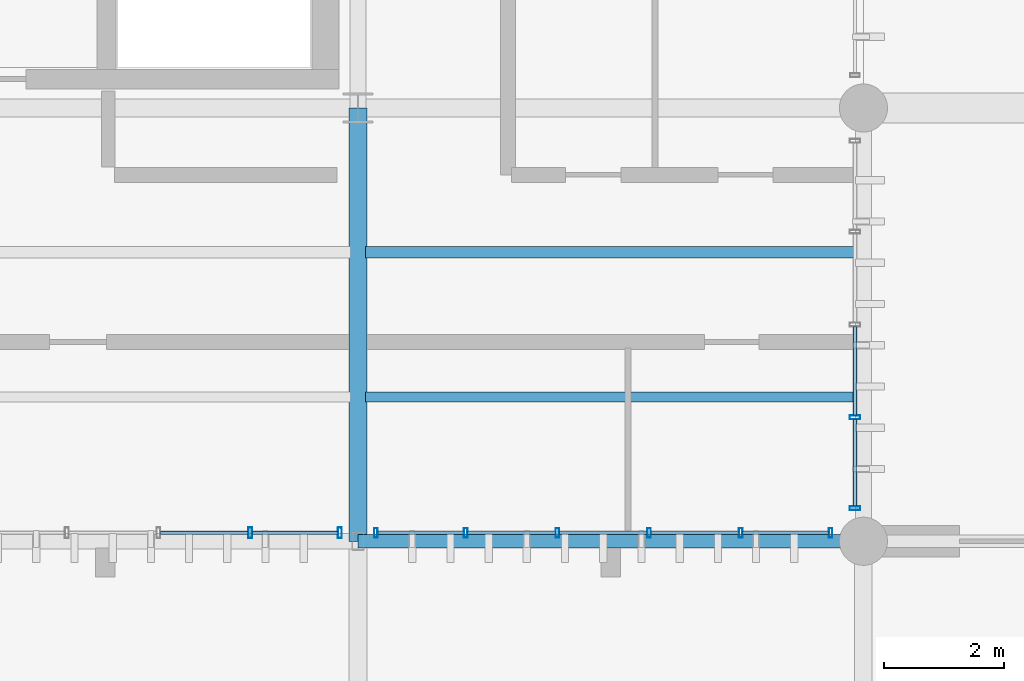
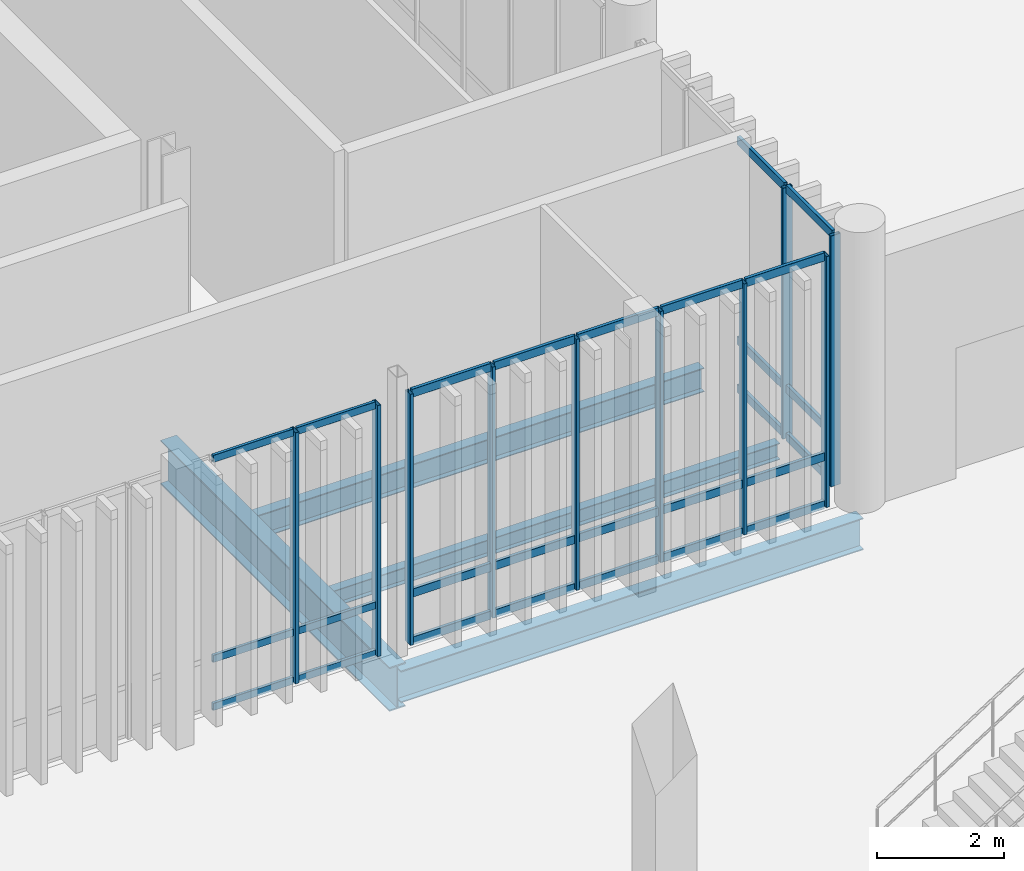
# One storey, part 47 of 112: 37 members, 4 beams, 3 elements without a shape of their own.
"""IFC4 building model written with IfcOpenShell, lengths in metres."""

from ifc_helpers import new_model, si_unit, direction, frame, origin_with_axes, origin_2d_with_axis, place, context, subcontext, project, spatial, hollow_rectangle, i_section, extrude, material, material_profile, profile_set, type_object, element, aggregate, save


model = new_model("IFC4")

# Units and contexts
model_context = context("Model", 3, precision=1e-05, world=origin_with_axes(), true_north=direction((0.0, 1.0)))
body_context = subcontext(model_context, "Body", "Model", "MODEL_VIEW")
ifc_project = project(units=[si_unit("LENGTHUNIT", "METRE"), si_unit("AREAUNIT", "SQUARE_METRE"), si_unit("VOLUMEUNIT", "CUBIC_METRE"), si_unit("PLANEANGLEUNIT", "RADIAN"), si_unit("MASSUNIT", "GRAM", prefix="KILO"), si_unit("THERMODYNAMICTEMPERATUREUNIT", "KELVIN")], contexts=[model_context])

# Site, building, storey
site_placement = place(None, origin_with_axes())
site = spatial("IfcSite", under=ifc_project, at=site_placement, CompositionType="ELEMENT")
building_placement = place(site_placement, origin_with_axes())
building = spatial("IfcBuilding", under=site, at=building_placement, Name="Montbau Bow Law Courts", CompositionType="ELEMENT")
storey_placement = place(building_placement, origin_with_axes())
storey = spatial("IfcBuildingStorey", under=building, at=storey_placement, Name="L00", CompositionType="ELEMENT", Elevation=0.0)

# Beams
ifc_material_1 = material(Name="Steel CSA G40.21 Grade 350W (350 MPa)", Category="steel")
ifc_material_profile_1 = material_profile(ifc_material_1, i_section(OverallWidth=0.293, OverallDepth=0.846, WebThickness=0.0154, FlangeThickness=0.0244, at=origin_2d_with_axis()), Name="W840X210", Category="Main", Priority=0)
ifc_profile_set_1 = profile_set([ifc_material_profile_1], Name="Steel CSA G40.21 Grade 350W (350 MPa)")
beam_type_1 = type_object("IfcBeamType", Name="B-FLR-02", PredefinedType="BEAM", material=ifc_profile_set_1)
beam_1_placement = place(None, frame((88.8, 39.0, -0.663), z_axis=(0.0, 1.0, 0.0), x_axis=(-1.0, 0.0, 0.0)))
element("IfcBeam", 1, at=beam_1_placement, inside=storey, type_object=beam_type_1, Name="BM-L00-S0304:bm2_0307", PredefinedType="BEAM", context=body_context, shape_type="SweptSolid", body=[
    extrude(i_section(OverallWidth=0.293, OverallDepth=0.846, WebThickness=0.0154, FlangeThickness=0.0244, at=origin_2d_with_axis()), origin_with_axes(), (0.0, 0.0, 1.0), 7.2),
])
ifc_material_profile_2 = material_profile(ifc_material_1, i_section(OverallWidth=0.229, OverallDepth=0.612, WebThickness=0.0119, FlangeThickness=0.0196, at=origin_2d_with_axis()), Name="W610X125", Category="Main", Priority=0)
ifc_profile_set_2 = profile_set([ifc_material_profile_2], Name="Steel CSA G40.21 Grade 350W (350 MPa)")
beam_type_2 = type_object("IfcBeamType", Name="B-FLR-05", PredefinedType="BEAM", material=ifc_profile_set_2)
beam_2_placement = place(None, frame((88.8, 39.0, -0.596), z_axis=(1.0, 0.0, 0.0), x_axis=(0.0, 1.0, 0.0)))
element("IfcBeam", 2, at=beam_2_placement, inside=storey, type_object=beam_type_2, Name="BM-L00-S0193:bm2_0196", PredefinedType="BEAM", context=body_context, shape_type="SweptSolid", body=[
    extrude(i_section(OverallWidth=0.229, OverallDepth=0.612, WebThickness=0.0119, FlangeThickness=0.0196, at=origin_2d_with_axis()), origin_with_axes(), (0.0, 0.0, 1.0), 8.4),
])
ifc_material_profile_3 = material_profile(ifc_material_1, i_section(OverallWidth=0.191, OverallDepth=0.46, WebThickness=0.0099, FlangeThickness=0.016, at=origin_2d_with_axis()), Name="W460X82", Category="Main", Priority=0)
ifc_profile_set_3 = profile_set([ifc_material_profile_3], Name="Steel CSA G40.21 Grade 350W (350 MPa)")
beam_type_3 = type_object("IfcBeamType", Name="B-JST-01", PredefinedType="JOIST", material=ifc_profile_set_3)
beam_3_placement = place(None, frame((88.922, 43.8, -0.52), z_axis=(1.0, 0.0, 0.0), x_axis=(0.0, 1.0, 0.0)))
element("IfcBeam", 3, at=beam_3_placement, inside=storey, type_object=beam_type_3, Name="JST-L00-S0096:jst2_0096", PredefinedType="JOIST", context=body_context, shape_type="SweptSolid", body=[
    extrude(i_section(OverallWidth=0.191, OverallDepth=0.46, WebThickness=0.0099, FlangeThickness=0.016, at=origin_2d_with_axis()), origin_with_axes(), (0.0, 0.0, 1.0), 8.169),
])
ifc_material_profile_4 = material_profile(ifc_material_1, i_section(OverallWidth=0.166, OverallDepth=0.313, WebThickness=0.0066, FlangeThickness=0.0112, at=origin_2d_with_axis()), Name="W310X45", Category="Main", Priority=0)
ifc_profile_set_4 = profile_set([ifc_material_profile_4], Name="Steel CSA G40.21 Grade 350W (350 MPa)")
beam_type_4 = type_object("IfcBeamType", Name="B-JST-04", PredefinedType="JOIST", material=ifc_profile_set_4)
beam_4_placement = place(None, frame((88.922, 41.4, -0.447), z_axis=(1.0, 0.0, 0.0), x_axis=(0.0, 1.0, 0.0)))
element("IfcBeam", 4, at=beam_4_placement, inside=storey, type_object=beam_type_4, Name="JST-L00-S0095:jst2_0095", PredefinedType="JOIST", context=body_context, shape_type="SweptSolid", body=[
    extrude(i_section(OverallWidth=0.166, OverallDepth=0.313, WebThickness=0.0066, FlangeThickness=0.0112, at=origin_2d_with_axis()), origin_with_axes(), (0.0, 0.0, 1.0), 8.169),
])

# Curtain wall, members
ifc_material_2 = material(Name="Thermally Broken Extruded Aluminium AA 6063-T6", Category="aluminium")
curtain_wall_type = type_object("IfcCurtainWallType", Name="CW-CRM-01", PredefinedType="NOTDEFINED", material=ifc_material_2)
curtain_wall_1_placement = place(None, frame((80.915, 39.14, 0.0), z_axis=(0.0, 0.0, 1.0), x_axis=(1.0, 0.0, 0.0)))
curtain_wall_1 = element("IfcCurtainWall", 5, at=curtain_wall_1_placement, inside=storey, type_object=curtain_wall_type, Name="CW-L00-127:cw_0127", PredefinedType="NOTDEFINED")
ifc_material_profile_5 = material_profile(ifc_material_2, hollow_rectangle(XDim=0.065, YDim=0.18, WallThickness=0.005, InnerFilletRadius=0.01, OuterFilletRadius=0.005, at=origin_2d_with_axis()), Name="CWM-180X65", Category="Main", Priority=0)
ifc_profile_set_5 = profile_set([ifc_material_profile_5], Name="Thermally Broken Extruded Aluminium AA 6063-T6")
member_type_1 = type_object("IfcMemberType", Name="M-MUL-02", PredefinedType="MULLION", material=ifc_profile_set_5)
member_1_placement = place(None, frame((87.009, 39.14, 0.0), z_axis=(0.0, 0.0, 1.0), x_axis=(1.0, 0.0, 0.0)))
member_1 = element("IfcMember", 6, at=member_1_placement, type_object=member_type_1, Name="CW-L00-127-M05:cw_0127_M05", PredefinedType="MULLION", context=body_context, shape_type="SweptSolid", body=[
    extrude(hollow_rectangle(XDim=0.065, YDim=0.18, WallThickness=0.005, InnerFilletRadius=0.01, OuterFilletRadius=0.005, at=origin_2d_with_axis()), origin_with_axes(), (0.0, 0.0, 1.0), 4.82),
])
member_2_placement = place(None, frame((88.499, 39.14, 0.0), z_axis=(0.0, 0.0, 1.0), x_axis=(1.0, 0.0, 0.0)))
member_2 = element("IfcMember", 7, at=member_2_placement, type_object=member_type_1, Name="CW-L00-127-M06:cw_0127_M06", PredefinedType="MULLION", context=body_context, shape_type="SweptSolid", body=[
    extrude(hollow_rectangle(XDim=0.065, YDim=0.18, WallThickness=0.005, InnerFilletRadius=0.01, OuterFilletRadius=0.005, at=origin_2d_with_axis()), origin_with_axes(), (0.0, 0.0, 1.0), 4.82),
])

curtain_wall_2_placement = place(None, frame((97.06, 39.515, 0.0), z_axis=(0.0, 0.0, 1.0), x_axis=(1.0, 0.0, 0.0)))
curtain_wall_2 = element("IfcCurtainWall", 8, at=curtain_wall_2_placement, inside=storey, type_object=curtain_wall_type, Name="CW-L00-136:cw_0136", PredefinedType="NOTDEFINED")
member_3_placement = place(None, frame((97.06, 39.548, 0.0), z_axis=(0.0, 0.0, 1.0), x_axis=(0.0, 1.0, 0.0)))
member_3 = element("IfcMember", 9, at=member_3_placement, type_object=member_type_1, Name="CW-L00-136-M01:cw_0136_M01", PredefinedType="MULLION", context=body_context, shape_type="SweptSolid", body=[
    extrude(hollow_rectangle(XDim=0.065, YDim=0.18, WallThickness=0.005, InnerFilletRadius=0.01, OuterFilletRadius=0.005, at=origin_2d_with_axis()), origin_with_axes(), (0.0, 0.0, 1.0), 4.82),
])
member_4_placement = place(None, frame((97.06, 41.058, 0.0), z_axis=(0.0, 0.0, 1.0), x_axis=(0.0, 1.0, 0.0)))
member_4 = element("IfcMember", 10, at=member_4_placement, type_object=member_type_1, Name="CW-L00-136-M02:cw_0136_M02", PredefinedType="MULLION", context=body_context, shape_type="SweptSolid", body=[
    extrude(hollow_rectangle(XDim=0.065, YDim=0.18, WallThickness=0.005, InnerFilletRadius=0.01, OuterFilletRadius=0.005, at=origin_2d_with_axis()), origin_with_axes(), (0.0, 0.0, 1.0), 4.82),
])

curtain_wall_3_placement = place(None, frame((89.067, 39.14, 0.0), z_axis=(0.0, 0.0, 1.0), x_axis=(1.0, 0.0, 0.0)))
curtain_wall_3 = element("IfcCurtainWall", 11, at=curtain_wall_3_placement, inside=storey, type_object=curtain_wall_type, Name="CW-L00-128:cw_0128", PredefinedType="NOTDEFINED")
ifc_material_profile_6 = material_profile(ifc_material_2, hollow_rectangle(XDim=0.06, YDim=0.16, WallThickness=0.004, InnerFilletRadius=0.008, OuterFilletRadius=0.004, at=origin_2d_with_axis()), Name="CWM-160X60", Category="Main", Priority=0)
ifc_profile_set_6 = profile_set([ifc_material_profile_6], Name="Thermally Broken Extruded Aluminium AA 6063-T6")
member_type_2 = type_object("IfcMemberType", Name="M-MUL-03", PredefinedType="MULLION", material=ifc_profile_set_6)
member_5_placement = place(None, frame((89.097, 39.14, 0.0), z_axis=(0.0, 0.0, 1.0), x_axis=(1.0, 0.0, 0.0)))
member_5 = element("IfcMember", 12, at=member_5_placement, type_object=member_type_2, Name="CW-L00-128-M01:cw_0128_M01", PredefinedType="MULLION", context=body_context, shape_type="SweptSolid", body=[
    extrude(hollow_rectangle(XDim=0.06, YDim=0.16, WallThickness=0.004, InnerFilletRadius=0.008, OuterFilletRadius=0.004, at=origin_2d_with_axis()), origin_with_axes(), (0.0, 0.0, 1.0), 4.82),
])
member_6_placement = place(None, frame((90.591, 39.14, 0.0), z_axis=(0.0, 0.0, 1.0), x_axis=(1.0, 0.0, 0.0)))
member_6 = element("IfcMember", 13, at=member_6_placement, type_object=member_type_2, Name="CW-L00-128-M02:cw_0128_M02", PredefinedType="MULLION", context=body_context, shape_type="SweptSolid", body=[
    extrude(hollow_rectangle(XDim=0.06, YDim=0.16, WallThickness=0.004, InnerFilletRadius=0.008, OuterFilletRadius=0.004, at=origin_2d_with_axis()), origin_with_axes(), (0.0, 0.0, 1.0), 4.82),
])
member_7_placement = place(None, frame((92.114, 39.14, 0.0), z_axis=(0.0, 0.0, 1.0), x_axis=(1.0, 0.0, 0.0)))
member_7 = element("IfcMember", 14, at=member_7_placement, type_object=member_type_2, Name="CW-L00-128-M03:cw_0128_M03", PredefinedType="MULLION", context=body_context, shape_type="SweptSolid", body=[
    extrude(hollow_rectangle(XDim=0.06, YDim=0.16, WallThickness=0.004, InnerFilletRadius=0.008, OuterFilletRadius=0.004, at=origin_2d_with_axis()), origin_with_axes(), (0.0, 0.0, 1.0), 4.82),
])
member_8_placement = place(None, frame((93.638, 39.14, 0.0), z_axis=(0.0, 0.0, 1.0), x_axis=(1.0, 0.0, 0.0)))
member_8 = element("IfcMember", 15, at=member_8_placement, type_object=member_type_2, Name="CW-L00-128-M04:cw_0128_M04", PredefinedType="MULLION", context=body_context, shape_type="SweptSolid", body=[
    extrude(hollow_rectangle(XDim=0.06, YDim=0.16, WallThickness=0.004, InnerFilletRadius=0.008, OuterFilletRadius=0.004, at=origin_2d_with_axis()), origin_with_axes(), (0.0, 0.0, 1.0), 4.82),
])
member_9_placement = place(None, frame((95.161, 39.14, 0.0), z_axis=(0.0, 0.0, 1.0), x_axis=(1.0, 0.0, 0.0)))
member_9 = element("IfcMember", 16, at=member_9_placement, type_object=member_type_2, Name="CW-L00-128-M05:cw_0128_M05", PredefinedType="MULLION", context=body_context, shape_type="SweptSolid", body=[
    extrude(hollow_rectangle(XDim=0.06, YDim=0.16, WallThickness=0.004, InnerFilletRadius=0.008, OuterFilletRadius=0.004, at=origin_2d_with_axis()), origin_with_axes(), (0.0, 0.0, 1.0), 4.82),
])
member_10_placement = place(None, frame((96.655, 39.14, 0.0), z_axis=(0.0, 0.0, 1.0), x_axis=(1.0, 0.0, 0.0)))
member_10 = element("IfcMember", 17, at=member_10_placement, type_object=member_type_2, Name="CW-L00-128-M06:cw_0128_M06", PredefinedType="MULLION", context=body_context, shape_type="SweptSolid", body=[
    extrude(hollow_rectangle(XDim=0.06, YDim=0.16, WallThickness=0.004, InnerFilletRadius=0.008, OuterFilletRadius=0.004, at=origin_2d_with_axis()), origin_with_axes(), (0.0, 0.0, 1.0), 4.82),
])
ifc_material_profile_7 = material_profile(ifc_material_2, hollow_rectangle(XDim=0.06, YDim=0.16, WallThickness=0.004, InnerFilletRadius=0.008, OuterFilletRadius=0.004, at=origin_2d_with_axis()), Name="CWT-160X60", Category="Main", Priority=0)
ifc_profile_set_7 = profile_set([ifc_material_profile_7], Name="Thermally Broken Extruded Aluminium AA 6063-T6")
member_type_3 = type_object("IfcMemberType", Name="M-TRN-01", PredefinedType="USERDEFINED", material=ifc_profile_set_7)
member_11_placement = place(None, frame((89.129, 39.14, 0.03), z_axis=(1.0, 0.0, 0.0), x_axis=(0.0, 1.0, 0.0)))
member_11 = element("IfcMember", 18, at=member_11_placement, type_object=member_type_3, Name="CW-L00-128-T01-1:cw_0128_T01_1", ObjectType="TRANSOM", PredefinedType="USERDEFINED", context=body_context, shape_type="SweptSolid", body=[
    extrude(hollow_rectangle(XDim=0.06, YDim=0.16, WallThickness=0.004, InnerFilletRadius=0.008, OuterFilletRadius=0.004, at=origin_2d_with_axis()), origin_with_axes(), (0.0, 0.0, 1.0), 1.43),
])
member_12_placement = place(None, frame((89.129, 39.14, 0.95), z_axis=(1.0, 0.0, 0.0), x_axis=(0.0, 1.0, 0.0)))
member_12 = element("IfcMember", 19, at=member_12_placement, type_object=member_type_3, Name="CW-L00-128-T01-2:cw_0128_T01_2", ObjectType="TRANSOM", PredefinedType="USERDEFINED", context=body_context, shape_type="SweptSolid", body=[
    extrude(hollow_rectangle(XDim=0.06, YDim=0.16, WallThickness=0.004, InnerFilletRadius=0.008, OuterFilletRadius=0.004, at=origin_2d_with_axis()), origin_with_axes(), (0.0, 0.0, 1.0), 1.43),
])
member_13_placement = place(None, frame((89.129, 39.14, 4.79), z_axis=(1.0, 0.0, 0.0), x_axis=(0.0, 1.0, 0.0)))
member_13 = element("IfcMember", 20, at=member_13_placement, type_object=member_type_3, Name="CW-L00-128-T01-3:cw_0128_T01_3", ObjectType="TRANSOM", PredefinedType="USERDEFINED", context=body_context, shape_type="SweptSolid", body=[
    extrude(hollow_rectangle(XDim=0.06, YDim=0.16, WallThickness=0.004, InnerFilletRadius=0.008, OuterFilletRadius=0.004, at=origin_2d_with_axis()), origin_with_axes(), (0.0, 0.0, 1.0), 1.43),
])
member_14_placement = place(None, frame((90.623, 39.14, 0.03), z_axis=(1.0, 0.0, 0.0), x_axis=(0.0, 1.0, 0.0)))
member_14 = element("IfcMember", 21, at=member_14_placement, type_object=member_type_3, Name="CW-L00-128-T02-1:cw_0128_T02_1", ObjectType="TRANSOM", PredefinedType="USERDEFINED", context=body_context, shape_type="SweptSolid", body=[
    extrude(hollow_rectangle(XDim=0.06, YDim=0.16, WallThickness=0.004, InnerFilletRadius=0.008, OuterFilletRadius=0.004, at=origin_2d_with_axis()), origin_with_axes(), (0.0, 0.0, 1.0), 1.459),
])
member_15_placement = place(None, frame((90.623, 39.14, 0.95), z_axis=(1.0, 0.0, 0.0), x_axis=(0.0, 1.0, 0.0)))
member_15 = element("IfcMember", 22, at=member_15_placement, type_object=member_type_3, Name="CW-L00-128-T02-2:cw_0128_T02_2", ObjectType="TRANSOM", PredefinedType="USERDEFINED", context=body_context, shape_type="SweptSolid", body=[
    extrude(hollow_rectangle(XDim=0.06, YDim=0.16, WallThickness=0.004, InnerFilletRadius=0.008, OuterFilletRadius=0.004, at=origin_2d_with_axis()), origin_with_axes(), (0.0, 0.0, 1.0), 1.459),
])
member_16_placement = place(None, frame((90.623, 39.14, 4.79), z_axis=(1.0, 0.0, 0.0), x_axis=(0.0, 1.0, 0.0)))
member_16 = element("IfcMember", 23, at=member_16_placement, type_object=member_type_3, Name="CW-L00-128-T02-3:cw_0128_T02_3", ObjectType="TRANSOM", PredefinedType="USERDEFINED", context=body_context, shape_type="SweptSolid", body=[
    extrude(hollow_rectangle(XDim=0.06, YDim=0.16, WallThickness=0.004, InnerFilletRadius=0.008, OuterFilletRadius=0.004, at=origin_2d_with_axis()), origin_with_axes(), (0.0, 0.0, 1.0), 1.459),
])
member_17_placement = place(None, frame((92.146, 39.14, 0.03), z_axis=(1.0, 0.0, 0.0), x_axis=(0.0, 1.0, 0.0)))
member_17 = element("IfcMember", 24, at=member_17_placement, type_object=member_type_3, Name="CW-L00-128-T03-1:cw_0128_T03_1", ObjectType="TRANSOM", PredefinedType="USERDEFINED", context=body_context, shape_type="SweptSolid", body=[
    extrude(hollow_rectangle(XDim=0.06, YDim=0.16, WallThickness=0.004, InnerFilletRadius=0.008, OuterFilletRadius=0.004, at=origin_2d_with_axis()), origin_with_axes(), (0.0, 0.0, 1.0), 1.46),
])
member_18_placement = place(None, frame((92.146, 39.14, 0.95), z_axis=(1.0, 0.0, 0.0), x_axis=(0.0, 1.0, 0.0)))
member_18 = element("IfcMember", 25, at=member_18_placement, type_object=member_type_3, Name="CW-L00-128-T03-2:cw_0128_T03_2", ObjectType="TRANSOM", PredefinedType="USERDEFINED", context=body_context, shape_type="SweptSolid", body=[
    extrude(hollow_rectangle(XDim=0.06, YDim=0.16, WallThickness=0.004, InnerFilletRadius=0.008, OuterFilletRadius=0.004, at=origin_2d_with_axis()), origin_with_axes(), (0.0, 0.0, 1.0), 1.46),
])
member_19_placement = place(None, frame((92.146, 39.14, 4.79), z_axis=(1.0, 0.0, 0.0), x_axis=(0.0, 1.0, 0.0)))
member_19 = element("IfcMember", 26, at=member_19_placement, type_object=member_type_3, Name="CW-L00-128-T03-3:cw_0128_T03_3", ObjectType="TRANSOM", PredefinedType="USERDEFINED", context=body_context, shape_type="SweptSolid", body=[
    extrude(hollow_rectangle(XDim=0.06, YDim=0.16, WallThickness=0.004, InnerFilletRadius=0.008, OuterFilletRadius=0.004, at=origin_2d_with_axis()), origin_with_axes(), (0.0, 0.0, 1.0), 1.46),
])
member_20_placement = place(None, frame((93.67, 39.14, 0.03), z_axis=(1.0, 0.0, 0.0), x_axis=(0.0, 1.0, 0.0)))
member_20 = element("IfcMember", 27, at=member_20_placement, type_object=member_type_3, Name="CW-L00-128-T04-1:cw_0128_T04_1", ObjectType="TRANSOM", PredefinedType="USERDEFINED", context=body_context, shape_type="SweptSolid", body=[
    extrude(hollow_rectangle(XDim=0.06, YDim=0.16, WallThickness=0.004, InnerFilletRadius=0.008, OuterFilletRadius=0.004, at=origin_2d_with_axis()), origin_with_axes(), (0.0, 0.0, 1.0), 1.459),
])
member_21_placement = place(None, frame((93.67, 39.14, 0.95), z_axis=(1.0, 0.0, 0.0), x_axis=(0.0, 1.0, 0.0)))
member_21 = element("IfcMember", 28, at=member_21_placement, type_object=member_type_3, Name="CW-L00-128-T04-2:cw_0128_T04_2", ObjectType="TRANSOM", PredefinedType="USERDEFINED", context=body_context, shape_type="SweptSolid", body=[
    extrude(hollow_rectangle(XDim=0.06, YDim=0.16, WallThickness=0.004, InnerFilletRadius=0.008, OuterFilletRadius=0.004, at=origin_2d_with_axis()), origin_with_axes(), (0.0, 0.0, 1.0), 1.459),
])
member_22_placement = place(None, frame((93.67, 39.14, 4.79), z_axis=(1.0, 0.0, 0.0), x_axis=(0.0, 1.0, 0.0)))
member_22 = element("IfcMember", 29, at=member_22_placement, type_object=member_type_3, Name="CW-L00-128-T04-3:cw_0128_T04_3", ObjectType="TRANSOM", PredefinedType="USERDEFINED", context=body_context, shape_type="SweptSolid", body=[
    extrude(hollow_rectangle(XDim=0.06, YDim=0.16, WallThickness=0.004, InnerFilletRadius=0.008, OuterFilletRadius=0.004, at=origin_2d_with_axis()), origin_with_axes(), (0.0, 0.0, 1.0), 1.459),
])
member_23_placement = place(None, frame((95.193, 39.14, 0.03), z_axis=(1.0, 0.0, 0.0), x_axis=(0.0, 1.0, 0.0)))
member_23 = element("IfcMember", 30, at=member_23_placement, type_object=member_type_3, Name="CW-L00-128-T05-1:cw_0128_T05_1", ObjectType="TRANSOM", PredefinedType="USERDEFINED", context=body_context, shape_type="SweptSolid", body=[
    extrude(hollow_rectangle(XDim=0.06, YDim=0.16, WallThickness=0.004, InnerFilletRadius=0.008, OuterFilletRadius=0.004, at=origin_2d_with_axis()), origin_with_axes(), (0.0, 0.0, 1.0), 1.43),
])
member_24_placement = place(None, frame((95.193, 39.14, 0.95), z_axis=(1.0, 0.0, 0.0), x_axis=(0.0, 1.0, 0.0)))
member_24 = element("IfcMember", 31, at=member_24_placement, type_object=member_type_3, Name="CW-L00-128-T05-2:cw_0128_T05_2", ObjectType="TRANSOM", PredefinedType="USERDEFINED", context=body_context, shape_type="SweptSolid", body=[
    extrude(hollow_rectangle(XDim=0.06, YDim=0.16, WallThickness=0.004, InnerFilletRadius=0.008, OuterFilletRadius=0.004, at=origin_2d_with_axis()), origin_with_axes(), (0.0, 0.0, 1.0), 1.43),
])
member_25_placement = place(None, frame((95.193, 39.14, 4.79), z_axis=(1.0, 0.0, 0.0), x_axis=(0.0, 1.0, 0.0)))
member_25 = element("IfcMember", 32, at=member_25_placement, type_object=member_type_3, Name="CW-L00-128-T05-3:cw_0128_T05_3", ObjectType="TRANSOM", PredefinedType="USERDEFINED", context=body_context, shape_type="SweptSolid", body=[
    extrude(hollow_rectangle(XDim=0.06, YDim=0.16, WallThickness=0.004, InnerFilletRadius=0.008, OuterFilletRadius=0.004, at=origin_2d_with_axis()), origin_with_axes(), (0.0, 0.0, 1.0), 1.43),
])
aggregate(curtain_wall_3, [member_5, member_6, member_7, member_8, member_9, member_10, member_11, member_12, member_13, member_14, member_15, member_16, member_17, member_18, member_19, member_20, member_21, member_22, member_23, member_24, member_25])

# Member
member_26_placement = place(None, frame((97.06, 39.583, 0.03), z_axis=(0.0, 1.0, 0.0), x_axis=(-1.0, 0.0, 0.0)))
member_26 = element("IfcMember", 33, at=member_26_placement, type_object=member_type_3, Name="CW-L00-136-T01-1:cw_0136_T01_1", ObjectType="TRANSOM", PredefinedType="USERDEFINED", context=body_context, shape_type="SweptSolid", body=[
    extrude(hollow_rectangle(XDim=0.06, YDim=0.16, WallThickness=0.004, InnerFilletRadius=0.008, OuterFilletRadius=0.004, at=origin_2d_with_axis()), origin_with_axes(), (0.0, 0.0, 1.0), 1.44),
])

member_27_placement = place(None, frame((97.06, 39.583, 0.95), z_axis=(0.0, 1.0, 0.0), x_axis=(-1.0, 0.0, 0.0)))
member_27 = element("IfcMember", 34, at=member_27_placement, type_object=member_type_3, Name="CW-L00-136-T01-2:cw_0136_T01_2", ObjectType="TRANSOM", PredefinedType="USERDEFINED", context=body_context, shape_type="SweptSolid", body=[
    extrude(hollow_rectangle(XDim=0.06, YDim=0.16, WallThickness=0.004, InnerFilletRadius=0.008, OuterFilletRadius=0.004, at=origin_2d_with_axis()), origin_with_axes(), (0.0, 0.0, 1.0), 1.44),
])

member_28_placement = place(None, frame((97.06, 39.583, 4.79), z_axis=(0.0, 1.0, 0.0), x_axis=(-1.0, 0.0, 0.0)))
member_28 = element("IfcMember", 35, at=member_28_placement, type_object=member_type_3, Name="CW-L00-136-T01-3:cw_0136_T01_3", ObjectType="TRANSOM", PredefinedType="USERDEFINED", context=body_context, shape_type="SweptSolid", body=[
    extrude(hollow_rectangle(XDim=0.06, YDim=0.16, WallThickness=0.004, InnerFilletRadius=0.008, OuterFilletRadius=0.004, at=origin_2d_with_axis()), origin_with_axes(), (0.0, 0.0, 1.0), 1.44),
])

member_29_placement = place(None, frame((97.06, 41.092, 0.03), z_axis=(0.0, 1.0, 0.0), x_axis=(-1.0, 0.0, 0.0)))
member_29 = element("IfcMember", 36, at=member_29_placement, type_object=member_type_3, Name="CW-L00-136-T02-1:cw_0136_T02_1", ObjectType="TRANSOM", PredefinedType="USERDEFINED", context=body_context, shape_type="SweptSolid", body=[
    extrude(hollow_rectangle(XDim=0.06, YDim=0.16, WallThickness=0.004, InnerFilletRadius=0.008, OuterFilletRadius=0.004, at=origin_2d_with_axis()), origin_with_axes(), (0.0, 0.0, 1.0), 1.473),
])

member_30_placement = place(None, frame((97.06, 41.092, 0.95), z_axis=(0.0, 1.0, 0.0), x_axis=(-1.0, 0.0, 0.0)))
member_30 = element("IfcMember", 37, at=member_30_placement, type_object=member_type_3, Name="CW-L00-136-T02-2:cw_0136_T02_2", ObjectType="TRANSOM", PredefinedType="USERDEFINED", context=body_context, shape_type="SweptSolid", body=[
    extrude(hollow_rectangle(XDim=0.06, YDim=0.16, WallThickness=0.004, InnerFilletRadius=0.008, OuterFilletRadius=0.004, at=origin_2d_with_axis()), origin_with_axes(), (0.0, 0.0, 1.0), 1.473),
])

member_31_placement = place(None, frame((97.06, 41.092, 4.79), z_axis=(0.0, 1.0, 0.0), x_axis=(-1.0, 0.0, 0.0)))
member_31 = element("IfcMember", 38, at=member_31_placement, type_object=member_type_3, Name="CW-L00-136-T02-3:cw_0136_T02_3", ObjectType="TRANSOM", PredefinedType="USERDEFINED", context=body_context, shape_type="SweptSolid", body=[
    extrude(hollow_rectangle(XDim=0.06, YDim=0.16, WallThickness=0.004, InnerFilletRadius=0.008, OuterFilletRadius=0.004, at=origin_2d_with_axis()), origin_with_axes(), (0.0, 0.0, 1.0), 1.473),
])

aggregate(curtain_wall_2, [member_3, member_4, member_26, member_27, member_28, member_29, member_30, member_31])

ifc_material_profile_8 = material_profile(ifc_material_2, hollow_rectangle(XDim=0.055, YDim=0.14, WallThickness=0.004, InnerFilletRadius=0.008, OuterFilletRadius=0.004, at=origin_2d_with_axis()), Name="CWT-140X55", Category="Main", Priority=0)
ifc_profile_set_8 = profile_set([ifc_material_profile_8], Name="Thermally Broken Extruded Aluminium AA 6063-T6")
member_type_4 = type_object("IfcMemberType", Name="M-TRN-02", PredefinedType="USERDEFINED", material=ifc_profile_set_8)
member_32_placement = place(None, frame((85.519, 39.14, 0.028), z_axis=(1.0, 0.0, 0.0), x_axis=(0.0, 1.0, 0.0)))
member_32 = element("IfcMember", 39, at=member_32_placement, type_object=member_type_4, Name="CW-L00-127-T04-1:cw_0127_T04_1", ObjectType="TRANSOM", PredefinedType="USERDEFINED", context=body_context, shape_type="SweptSolid", body=[
    extrude(hollow_rectangle(XDim=0.055, YDim=0.14, WallThickness=0.004, InnerFilletRadius=0.008, OuterFilletRadius=0.004, at=origin_2d_with_axis()), origin_with_axes(), (0.0, 0.0, 1.0), 1.456),
])

member_33_placement = place(None, frame((85.519, 39.14, 0.95), z_axis=(1.0, 0.0, 0.0), x_axis=(0.0, 1.0, 0.0)))
member_33 = element("IfcMember", 40, at=member_33_placement, type_object=member_type_4, Name="CW-L00-127-T04-2:cw_0127_T04_2", ObjectType="TRANSOM", PredefinedType="USERDEFINED", context=body_context, shape_type="SweptSolid", body=[
    extrude(hollow_rectangle(XDim=0.055, YDim=0.14, WallThickness=0.004, InnerFilletRadius=0.008, OuterFilletRadius=0.004, at=origin_2d_with_axis()), origin_with_axes(), (0.0, 0.0, 1.0), 1.456),
])

member_34_placement = place(None, frame((85.519, 39.14, 4.793), z_axis=(1.0, 0.0, 0.0), x_axis=(0.0, 1.0, 0.0)))
member_34 = element("IfcMember", 41, at=member_34_placement, type_object=member_type_4, Name="CW-L00-127-T04-3:cw_0127_T04_3", ObjectType="TRANSOM", PredefinedType="USERDEFINED", context=body_context, shape_type="SweptSolid", body=[
    extrude(hollow_rectangle(XDim=0.055, YDim=0.14, WallThickness=0.004, InnerFilletRadius=0.008, OuterFilletRadius=0.004, at=origin_2d_with_axis()), origin_with_axes(), (0.0, 0.0, 1.0), 1.456),
])

member_35_placement = place(None, frame((87.043, 39.14, 0.028), z_axis=(1.0, 0.0, 0.0), x_axis=(0.0, 1.0, 0.0)))
member_35 = element("IfcMember", 42, at=member_35_placement, type_object=member_type_4, Name="CW-L00-127-T05-1:cw_0127_T05_1", ObjectType="TRANSOM", PredefinedType="USERDEFINED", context=body_context, shape_type="SweptSolid", body=[
    extrude(hollow_rectangle(XDim=0.055, YDim=0.14, WallThickness=0.004, InnerFilletRadius=0.008, OuterFilletRadius=0.004, at=origin_2d_with_axis()), origin_with_axes(), (0.0, 0.0, 1.0), 1.422),
])

member_36_placement = place(None, frame((87.043, 39.14, 0.95), z_axis=(1.0, 0.0, 0.0), x_axis=(0.0, 1.0, 0.0)))
member_36 = element("IfcMember", 43, at=member_36_placement, type_object=member_type_4, Name="CW-L00-127-T05-2:cw_0127_T05_2", ObjectType="TRANSOM", PredefinedType="USERDEFINED", context=body_context, shape_type="SweptSolid", body=[
    extrude(hollow_rectangle(XDim=0.055, YDim=0.14, WallThickness=0.004, InnerFilletRadius=0.008, OuterFilletRadius=0.004, at=origin_2d_with_axis()), origin_with_axes(), (0.0, 0.0, 1.0), 1.422),
])

member_37_placement = place(None, frame((87.043, 39.14, 4.793), z_axis=(1.0, 0.0, 0.0), x_axis=(0.0, 1.0, 0.0)))
member_37 = element("IfcMember", 44, at=member_37_placement, type_object=member_type_4, Name="CW-L00-127-T05-3:cw_0127_T05_3", ObjectType="TRANSOM", PredefinedType="USERDEFINED", context=body_context, shape_type="SweptSolid", body=[
    extrude(hollow_rectangle(XDim=0.055, YDim=0.14, WallThickness=0.004, InnerFilletRadius=0.008, OuterFilletRadius=0.004, at=origin_2d_with_axis()), origin_with_axes(), (0.0, 0.0, 1.0), 1.422),
])

aggregate(curtain_wall_1, [member_1, member_2, member_32, member_33, member_34, member_35, member_36, member_37])

save(model, "model.ifc")
